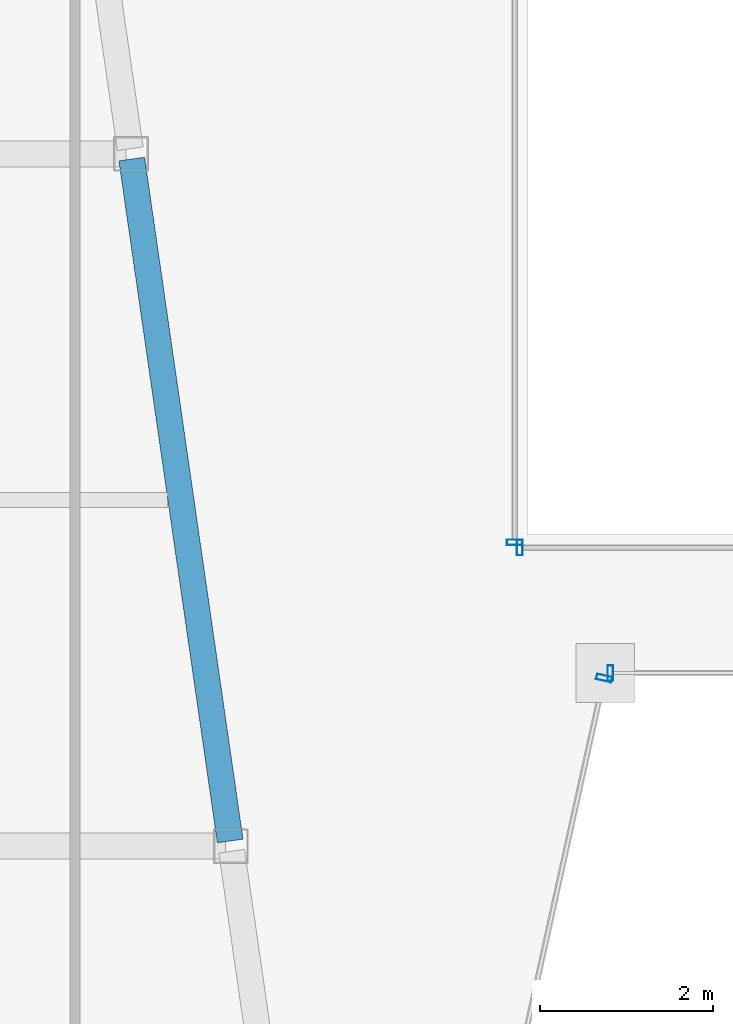
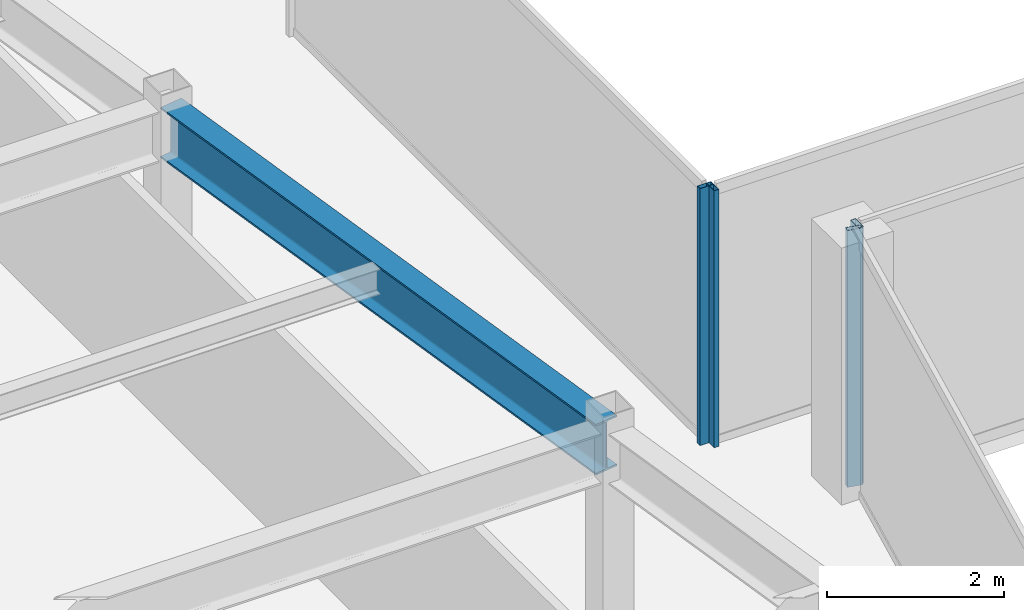
# One storey, part 7 of 36: 4 members, 1 beam, 4 elements without a shape of their own.
"""IFC4 building model written with IfcOpenShell, lengths in metres."""

from ifc_helpers import new_model, si_unit, direction, frame, origin, origin_2d, place, context, subcontext, project, spatial, hollow_rectangle, i_section, extrude, material, material_profile, profile_set, type_object, element, aggregate, save


model = new_model("IFC4")

# Units and contexts
model_context = context("Model", 3, precision=1e-05, world=origin(), true_north=direction((0.0, 1.0)))
body_context = subcontext(model_context, "Body", "Model", "MODEL_VIEW")
ifc_project = project(units=[si_unit("LENGTHUNIT", "METRE"), si_unit("AREAUNIT", "SQUARE_METRE"), si_unit("VOLUMEUNIT", "CUBIC_METRE"), si_unit("PLANEANGLEUNIT", "RADIAN"), si_unit("MASSUNIT", "GRAM", prefix="KILO")], contexts=[model_context])

# Site, building, storey
site_placement = place(None, origin())
site = spatial("IfcSite", under=ifc_project, at=site_placement, CompositionType="ELEMENT")
building_placement = place(site_placement, origin())
building = spatial("IfcBuilding", under=site, at=building_placement, Name="Saevonmaru Cultural Tower", CompositionType="ELEMENT")
storey_placement = place(building_placement, frame((0.0, 0.0, 186.60009765625)))
storey = spatial("IfcBuildingStorey", under=building, at=storey_placement, Name="L42", CompositionType="ELEMENT", Elevation=186.60009765625)

# Beam
ifc_material_1 = material(Name="Steel SM355", Category="steel")
ifc_material_profile_1 = material_profile(ifc_material_1, i_section(OverallWidth=0.300048828125, OverallDepth=0.699951171875, WebThickness=0.012939453125, FlangeThickness=0.02392578125, FilletRadius=0.02587890625, at=origin_2d()), Name="H-700x300x13x24")
ifc_profile_set_1 = profile_set([ifc_material_profile_1], Name="Steel SM355")
beam_type = type_object("IfcBeamType", Name="BM-G-H700", PredefinedType="BEAM", material=ifc_profile_set_1)
beam_placement = place(storey_placement, frame((20.763427734375, 24.059326171875, 3.199951171875), z_axis=(-0.142902032203, 0.989736838353, 0.0), x_axis=(-0.989736838353, -0.142902032203, 0.0)))
element("IfcBeam", 1, at=beam_placement, inside=storey, type_object=beam_type, Name="L42 West Atrium Girder 2", PredefinedType="BEAM", context=body_context, shape_type="SweptSolid", body=[
    extrude(i_section(OverallWidth=0.300048828125, OverallDepth=0.699951171875, WebThickness=0.012939453125, FlangeThickness=0.02392578125, FilletRadius=0.02587890625, at=origin_2d()), origin(), (0.0, 0.0, 1.0), 7.963134765625),
])

# Curtain wall, member
ifc_material_2 = material(Name="Satin Bronze Anodised Aluminium", Category="aluminium")
curtain_wall_type_1 = type_object("IfcCurtainWallType", Name="CW-TYP-B", PredefinedType="NOTDEFINED", material=ifc_material_2)
curtain_wall_1_placement = place(storey_placement, origin())
curtain_wall_1 = element("IfcCurtainWall", 2, at=curtain_wall_1_placement, inside=storey, type_object=curtain_wall_type_1, Name="L42 Unitised Curtain Wall E3", PredefinedType="NOTDEFINED")
ifc_material_profile_2 = material_profile(ifc_material_2, hollow_rectangle(XDim=0.06494140625, YDim=0.179931640625, WallThickness=0.00390625, at=origin_2d()), Name="ALU-MULL-180x65x4")
ifc_profile_set_2 = profile_set([ifc_material_profile_2], Name="Satin Bronze Anodised Aluminium")
member_type_1 = type_object("IfcMemberType", Name="ML-CW-180x65", PredefinedType="MULLION", material=ifc_profile_set_2)
member_1_placement = place(storey_placement, frame((25.0849609375, 25.94140625, 0.0), z_axis=(0.0, 0.0, 1.0), x_axis=(0.215413319953, 0.976522965212, 0.0)))
member_1 = element("IfcMember", 3, at=member_1_placement, type_object=member_type_1, Name="CW-TW-L42-E3 mullion 2", PredefinedType="MULLION", context=body_context, shape_type="SweptSolid", body=[
    extrude(hollow_rectangle(XDim=0.06494140625, YDim=0.179931640625, WallThickness=0.00390625, at=origin_2d()), origin(), (0.0, 0.0, 1.0), 3.5498046875),
])
aggregate(curtain_wall_1, [member_1])

curtain_wall_2_placement = place(storey_placement, origin())
curtain_wall_2 = element("IfcCurtainWall", 4, at=curtain_wall_2_placement, inside=storey, type_object=curtain_wall_type_1, Name="L42 Unitised Curtain Wall E4", PredefinedType="NOTDEFINED")
member_2_placement = place(storey_placement, frame((25.15771484375, 26.0, 0.0), z_axis=(0.0, 0.0, 1.0), x_axis=(1.0, 0.0, 0.0)))
member_2 = element("IfcMember", 5, at=member_2_placement, type_object=member_type_1, Name="CW-TW-L42-E4 mullion 1", PredefinedType="MULLION", context=body_context, shape_type="SweptSolid", body=[
    extrude(hollow_rectangle(XDim=0.06494140625, YDim=0.179931640625, WallThickness=0.00390625, at=origin_2d()), origin(), (0.0, 0.0, 1.0), 3.5498046875),
])
aggregate(curtain_wall_2, [member_2])

curtain_wall_type_2 = type_object("IfcCurtainWallType", Name="CW-ATR-GLZ", PredefinedType="NOTDEFINED", material=ifc_material_2)
curtain_wall_3_placement = place(storey_placement, origin())
curtain_wall_3 = element("IfcCurtainWall", 6, at=curtain_wall_3_placement, inside=storey, type_object=curtain_wall_type_2, Name="L42 Vertical Atrium Glazed Smoke Screen 1", PredefinedType="NOTDEFINED")
ifc_material_profile_3 = material_profile(ifc_material_2, hollow_rectangle(XDim=0.06494140625, YDim=0.179931640625, WallThickness=0.00390625, at=origin_2d()), Name="ALU-MULL-180x65x4")
ifc_profile_set_3 = profile_set([ifc_material_profile_3], Name="Satin Bronze Anodised Aluminium")
member_type_2 = type_object("IfcMemberType", Name="ML-CW-INT-180x65", PredefinedType="MULLION", material=ifc_profile_set_3)
member_3_placement = place(storey_placement, frame((24.110107421875, 27.449951171875, 0.0), z_axis=(0.0, 0.0, 1.0), x_axis=(1.0, 0.0, 0.0)))
member_3 = element("IfcMember", 7, at=member_3_placement, type_object=member_type_2, Name="CW-ATR-L42-1 mullion 1", PredefinedType="MULLION", context=body_context, shape_type="SweptSolid", body=[
    extrude(hollow_rectangle(XDim=0.06494140625, YDim=0.179931640625, WallThickness=0.00390625, at=origin_2d()), origin(), (0.0, 0.0, 1.0), 3.5498046875),
])
aggregate(curtain_wall_3, [member_3])

curtain_wall_4_placement = place(storey_placement, origin())
curtain_wall_4 = element("IfcCurtainWall", 8, at=curtain_wall_4_placement, inside=storey, type_object=curtain_wall_type_2, Name="L42 Vertical Atrium Glazed Smoke Screen 4", PredefinedType="NOTDEFINED")
member_4_placement = place(storey_placement, frame((24.050048828125, 27.510009765625, 0.0), z_axis=(0.0, 0.0, 1.0), x_axis=(0.0, -1.0, 0.0)))
member_4 = element("IfcMember", 9, at=member_4_placement, type_object=member_type_2, Name="CW-ATR-L42-4 mullion 2", PredefinedType="MULLION", context=body_context, shape_type="SweptSolid", body=[
    extrude(hollow_rectangle(XDim=0.06494140625, YDim=0.179931640625, WallThickness=0.00390625, at=origin_2d()), origin(), (0.0, 0.0, 1.0), 3.5498046875),
])
aggregate(curtain_wall_4, [member_4])

save(model, "model.ifc")
